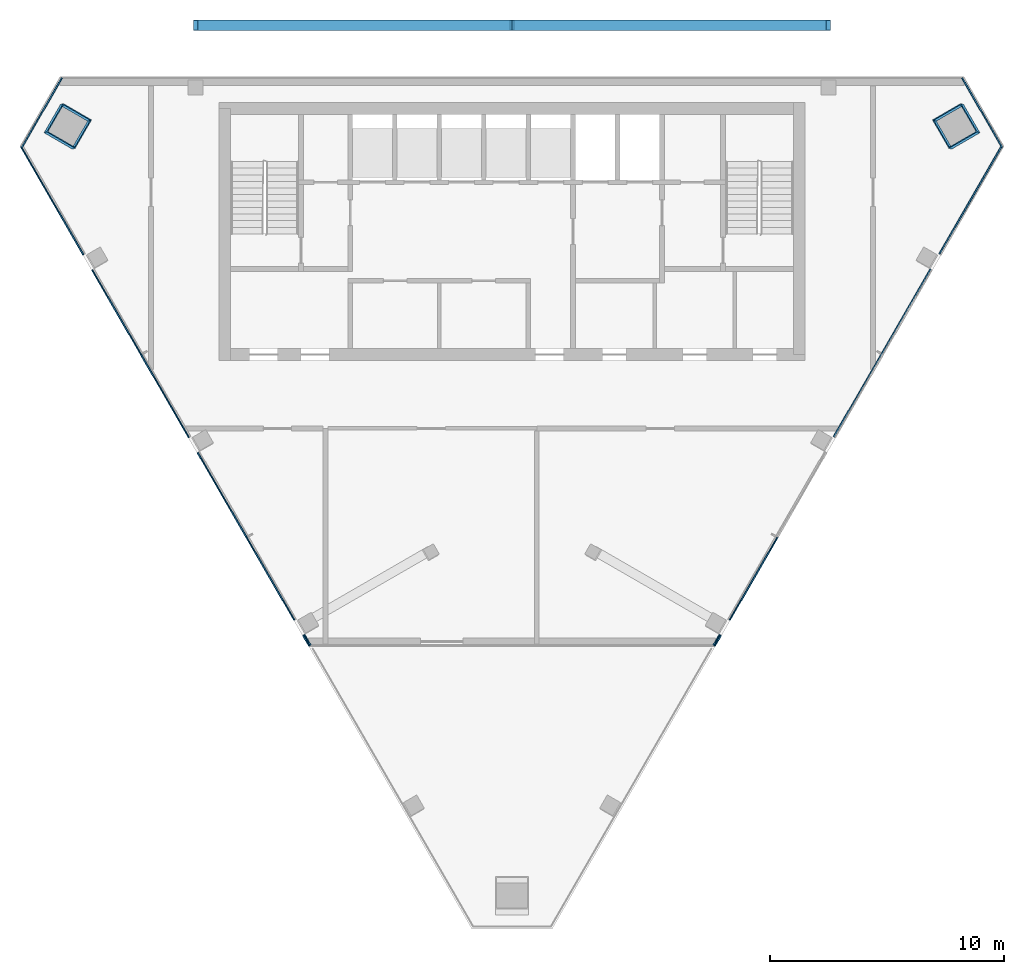
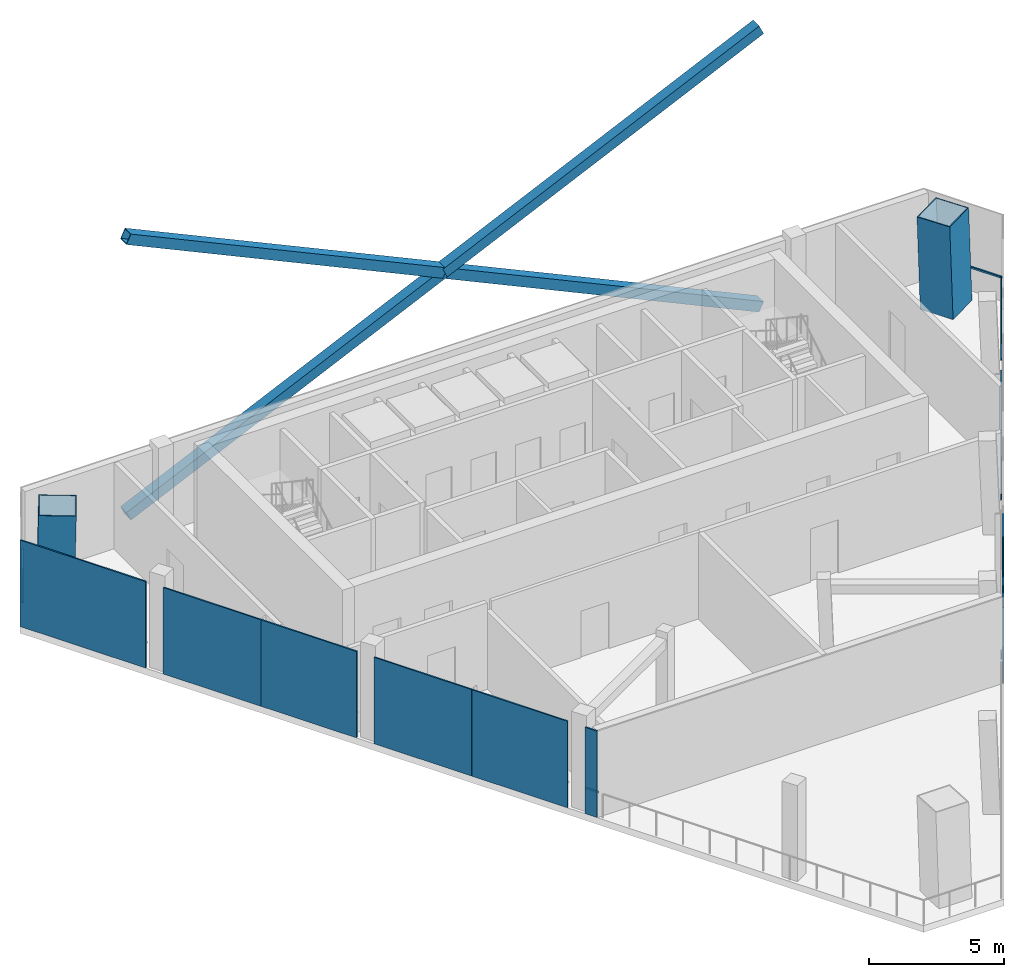
# One storey, part 4 of 8: 12 members, 8 plates, 4 elements without a shape of their own.
"""IFC4 building model written with IfcOpenShell, lengths in metres."""

from ifc_helpers import new_model, si_unit, direction, frame, origin, origin_2d, place, context, subcontext, project, spatial, rectangle, hollow_rectangle, extrude, material, layer, layer_set, material_profile, profile_set, type_object, element, aggregate, save


model = new_model("IFC4")

# Units and contexts
model_context = context("Model", 3, precision=1e-05, world=origin(), true_north=direction((0.0, 1.0)))
body_context = subcontext(model_context, "Body", "Model", "MODEL_VIEW")
ifc_project = project(units=[si_unit("LENGTHUNIT", "METRE"), si_unit("AREAUNIT", "SQUARE_METRE"), si_unit("VOLUMEUNIT", "CUBIC_METRE"), si_unit("PLANEANGLEUNIT", "RADIAN"), si_unit("MASSUNIT", "GRAM", prefix="KILO")], contexts=[model_context])

# Site, building, storey
site_placement = place(None, origin())
site = spatial("IfcSite", under=ifc_project, at=site_placement, CompositionType="ELEMENT")
building_placement = place(site_placement, origin())
building = spatial("IfcBuilding", under=site, at=building_placement, Name="Altiplano Prism Tower", CompositionType="ELEMENT")
storey_placement = place(building_placement, frame((0.0, 0.0, 334.60009765625)))
storey = spatial("IfcBuildingStorey", under=building, at=storey_placement, Name="L87", CompositionType="ELEMENT", Elevation=334.60009765625)

# Curtain wall, member
ifc_material_1 = material(Name="Aluminium and glass", Category="aluminium")
ifc_layer_1 = layer(ifc_material_1, 0.320068359375)
ifc_layer_set_1 = layer_set([ifc_layer_1], Name="Aluminium and glass")
curtain_wall_type = type_object("IfcCurtainWallType", Name="CW6 louvred plant-floor curtain wall", PredefinedType="NOTDEFINED", material=ifc_layer_set_1)
curtain_wall_1_placement = place(storey_placement, origin())
curtain_wall_1 = element("IfcCurtainWall", 1, at=curtain_wall_1_placement, inside=storey, type_object=curtain_wall_type, Name="CW6 curtain wall north-west chamfer L87", PredefinedType="NOTDEFINED")
ifc_material_2 = material(Name="Aluminium", Category="aluminium")
ifc_material_profile_1 = material_profile(ifc_material_2, rectangle(XDim=0.06005859375, YDim=0.080078125, at=origin_2d()), Name="CW6 transom 80 x 60")
ifc_profile_set_1 = profile_set([ifc_material_profile_1], Name="Aluminium")
member_type_1 = type_object("IfcMemberType", Name="CW6 transom 80 x 60", PredefinedType="USERDEFINED", material=ifc_profile_set_1)
member_1_placement = place(storey_placement, frame((65.797607421875, 104.955078125, 1.099853515625), z_axis=(-0.499981725576, -0.866035954271, 0.0), x_axis=(0.866035954271, -0.499981725576, 0.0)))
member_1 = element("IfcMember", 2, at=member_1_placement, type_object=member_type_1, Name="CW6 transom", ObjectType="TRANSOM", PredefinedType="USERDEFINED", context=body_context, shape_type="SweptSolid", body=[
    extrude(rectangle(XDim=0.06005859375, YDim=0.080078125, at=origin_2d()), origin(), (0.0, 0.0, 1.0), 3.423583984375),
])
aggregate(curtain_wall_1, [member_1])

curtain_wall_2_placement = place(storey_placement, origin())
curtain_wall_2 = element("IfcCurtainWall", 3, at=curtain_wall_2_placement, inside=storey, type_object=curtain_wall_type, Name="CW6 curtain wall south-west face L87", PredefinedType="NOTDEFINED")
member_2_placement = place(storey_placement, frame((76.138916015625, 81.2041015625, 1.099853515625), z_axis=(0.499855389907, -0.866108878364, 0.0), x_axis=(0.866108878364, 0.499855389907, 0.0)))
member_2 = element("IfcMember", 4, at=member_2_placement, type_object=member_type_1, Name="CW6 transom", ObjectType="TRANSOM", PredefinedType="USERDEFINED", context=body_context, shape_type="SweptSolid", body=[
    extrude(rectangle(XDim=0.06005859375, YDim=0.080078125, at=origin_2d()), origin(), (0.0, 0.0, 1.0), 0.530029296875),
])

# Curtain wall, members
curtain_wall_3_placement = place(storey_placement, origin())
curtain_wall_3 = element("IfcCurtainWall", 5, at=curtain_wall_3_placement, inside=storey, type_object=curtain_wall_type, Name="CW6 curtain wall south-east face L87", PredefinedType="NOTDEFINED")
member_3_placement = place(storey_placement, frame((93.59619140625, 80.7451171875, 1.099853515625), z_axis=(0.499855389907, 0.866108878364, 0.0), x_axis=(-0.866108878364, 0.499855389907, 0.0)))
member_3 = element("IfcMember", 6, at=member_3_placement, type_object=member_type_1, Name="CW6 transom", ObjectType="TRANSOM", PredefinedType="USERDEFINED", context=body_context, shape_type="SweptSolid", body=[
    extrude(rectangle(XDim=0.06005859375, YDim=0.080078125, at=origin_2d()), origin(), (0.0, 0.0, 1.0), 0.530029296875),
])
member_4_placement = place(storey_placement, frame((98.73291015625, 89.64208984375, 1.099853515625), z_axis=(0.499990359933, 0.866030969408, 0.0), x_axis=(-0.866030969408, 0.499990359933, 0.0)))
member_4 = element("IfcMember", 7, at=member_4_placement, type_object=member_type_1, Name="CW6 transom", ObjectType="TRANSOM", PredefinedType="USERDEFINED", context=body_context, shape_type="SweptSolid", body=[
    extrude(rectangle(XDim=0.06005859375, YDim=0.080078125, at=origin_2d()), origin(), (0.0, 0.0, 1.0), 8.256591796875),
])
member_5_placement = place(storey_placement, frame((103.23291015625, 97.436279296875, 1.099853515625), z_axis=(0.499987815973, 0.866032438121, 0.0), x_axis=(-0.866032438121, 0.499987815973, 0.0)))
member_5 = element("IfcMember", 8, at=member_5_placement, type_object=member_type_1, Name="CW6 transom", ObjectType="TRANSOM", PredefinedType="USERDEFINED", context=body_context, shape_type="SweptSolid", body=[
    extrude(rectangle(XDim=0.06005859375, YDim=0.080078125, at=origin_2d()), origin(), (0.0, 0.0, 1.0), 5.362548828125),
])

# Curtain wall, member
curtain_wall_4_placement = place(storey_placement, origin())
curtain_wall_4 = element("IfcCurtainWall", 9, at=curtain_wall_4_placement, inside=storey, type_object=curtain_wall_type, Name="CW6 curtain wall north-east chamfer L87", PredefinedType="NOTDEFINED")
member_6_placement = place(storey_placement, frame((105.9140625, 101.990234375, 1.099853515625), z_axis=(-0.499981725576, 0.866035954271, 0.0), x_axis=(-0.866035954271, -0.499981725576, 0.0)))
member_6 = element("IfcMember", 10, at=member_6_placement, type_object=member_type_1, Name="CW6 transom", ObjectType="TRANSOM", PredefinedType="USERDEFINED", context=body_context, shape_type="SweptSolid", body=[
    extrude(rectangle(XDim=0.06005859375, YDim=0.080078125, at=origin_2d()), origin(), (0.0, 0.0, 1.0), 3.423583984375),
])
aggregate(curtain_wall_4, [member_6])

# Members
ifc_material_3 = material(Name="Steel S355", Category="steel")
ifc_material_profile_2 = material_profile(ifc_material_3, hollow_rectangle(XDim=0.449951171875, YDim=0.449951171875, WallThickness=0.02490234375, at=origin_2d()), Name="Mega brace Box 450x450x25")
ifc_profile_set_2 = profile_set([ifc_material_profile_2], Name="Steel S355")
member_type_2 = type_object("IfcMemberType", Name="Mega brace Box 450x450x25", PredefinedType="BRACE", material=ifc_profile_set_2)
for number, where, z_axis, x_axis, name in (
    (11, (98.5, 107.199951171875, -0.650146484375), (-0.90746690712, 0.0, 0.420123568111), (0.0, -1.0, 0.0), "Mega brace 10.0.1"),
    (12, (85.0, 107.199951171875, 5.599853515625), (-0.90746690712, 0.0, 0.420123568111), (0.0, -1.0, 0.0), "Mega brace 10.0.2"),
    (13, (71.5, 107.199951171875, -0.650146484375), (0.90746690712, 0.0, 0.420123568111), (0.0, 1.0, 0.0), "Mega brace 10.0.3"),
    (14, (85.0, 107.199951171875, 5.599853515625), (0.90746690712, 0.0, 0.420123568111), (0.0, 1.0, 0.0), "Mega brace 10.0.4"),
):
    element("IfcMember", number, at=place(storey_placement, frame(where, z_axis=z_axis, x_axis=x_axis)), inside=storey, type_object=member_type_2, Name=name, PredefinedType="BRACE", context=body_context, shape_type="SweptSolid", body=[
        extrude(hollow_rectangle(XDim=0.449951171875, YDim=0.449951171875, WallThickness=0.02490234375, at=origin_2d()), origin(), (0.0, 0.0, 1.0), 14.87646484375),
    ])
ifc_material_4 = material(Name="Steel S460", Category="steel")
ifc_material_profile_3 = material_profile(ifc_material_4, hollow_rectangle(XDim=1.39990234375, YDim=1.39990234375, WallThickness=0.0400390625, at=origin_2d()), Name="Mega column tube 1400")
ifc_profile_set_3 = profile_set([ifc_material_profile_3], Name="Steel S460")
member_type_3 = type_object("IfcMemberType", Name="Mega column tube 1400", PredefinedType="POST", material=ifc_profile_set_3)
for number, where, z_axis, x_axis, name in (
    (15, (65.989501953125, 102.86767578125, 0.0), (0.028412585289, 0.009238447977, 0.999553588396), (-0.865380735886, 0.500716836341, 0.019970772707), "Mega column tube M0 L87"),
    (16, (104.010498046875, 102.86767578125, 0.0), (-0.028412585289, 0.009238447977, 0.999553588396), (0.50030881159, -0.865561841167, 0.022221434727), "Mega column tube M2 L87"),
):
    element("IfcMember", number, at=place(storey_placement, frame(where, z_axis=z_axis, x_axis=x_axis)), inside=storey, type_object=member_type_3, Name=name, PredefinedType="POST", context=body_context, shape_type="SweptSolid", body=[
        extrude(hollow_rectangle(XDim=1.39990234375, YDim=1.39990234375, WallThickness=0.0400390625, at=origin_2d()), origin(), (0.0, 0.0, 1.0), 4.201904296875),
    ])

# Plate
ifc_material_5 = material(Name="Anodised aluminium", Category="aluminium")
ifc_layer_2 = layer(ifc_material_5, 0.06005859375)
ifc_layer_set_2 = layer_set([ifc_layer_2], Name="Anodised aluminium")
plate_type = type_object("IfcPlateType", Name="CW6 louvred aluminium panel 60", PredefinedType="CURTAIN_PANEL", material=ifc_layer_set_2)
plate_1_placement = place(storey_placement, frame((65.37451171875, 99.728271484375, 0.0), z_axis=(0.0, 0.0, 1.0), x_axis=(0.500000009009, -0.866025398583, 0.0)))
plate_1 = element("IfcPlate", 17, at=plate_1_placement, type_object=plate_type, Name="CW6 panel", PredefinedType="CURTAIN_PANEL", context=body_context, shape_type="SweptSolid", body=[
    extrude(rectangle(XDim=5.3525390625, YDim=0.06005859375, at=origin_2d()), origin(), (0.0, 0.0, 1.0), 3.89990234375),
])

plate_2_placement = place(storey_placement, frame((68.13037109375, 94.954833984375, 0.0), z_axis=(0.0, 0.0, 1.0), x_axis=(0.500000009009, -0.866025398583, 0.0)))
plate_2 = element("IfcPlate", 18, at=plate_2_placement, type_object=plate_type, Name="CW6 panel", PredefinedType="CURTAIN_PANEL", context=body_context, shape_type="SweptSolid", body=[
    extrude(rectangle(XDim=4.16455078125, YDim=0.06005859375, at=origin_2d()), origin(), (0.0, 0.0, 1.0), 3.89990234375),
])

plate_3_placement = place(storey_placement, frame((70.194580078125, 91.379638671875, 0.0), z_axis=(0.0, 0.0, 1.0), x_axis=(0.500000009009, -0.866025398583, 0.0)))
plate_3 = element("IfcPlate", 19, at=plate_3_placement, type_object=plate_type, Name="CW6 panel", PredefinedType="CURTAIN_PANEL", context=body_context, shape_type="SweptSolid", body=[
    extrude(rectangle(XDim=4.072021484375, YDim=0.06005859375, at=origin_2d()), origin(), (0.0, 0.0, 1.0), 3.89990234375),
])

plate_4_placement = place(storey_placement, frame((72.63037109375, 87.16064453125, 0.0), z_axis=(0.0, 0.0, 1.0), x_axis=(0.500000009009, -0.866025398583, 0.0)))
plate_4 = element("IfcPlate", 20, at=plate_4_placement, type_object=plate_type, Name="CW6 panel", PredefinedType="CURTAIN_PANEL", context=body_context, shape_type="SweptSolid", body=[
    extrude(rectangle(XDim=4.16455078125, YDim=0.06005859375, at=origin_2d()), origin(), (0.0, 0.0, 1.0), 3.89990234375),
])

plate_5_placement = place(storey_placement, frame((74.694580078125, 83.58544921875, 0.0), z_axis=(0.0, 0.0, 1.0), x_axis=(0.500000009009, -0.866025398583, 0.0)))
plate_5 = element("IfcPlate", 21, at=plate_5_placement, type_object=plate_type, Name="CW6 panel", PredefinedType="CURTAIN_PANEL", context=body_context, shape_type="SweptSolid", body=[
    extrude(rectangle(XDim=4.072021484375, YDim=0.06005859375, at=origin_2d()), origin(), (0.0, 0.0, 1.0), 3.89990234375),
])

plate_6_placement = place(storey_placement, frame((76.219482421875, 80.944580078125, 0.0), z_axis=(0.0, 0.0, 1.0), x_axis=(0.500000009009, -0.866025398583, 0.0)))
plate_6 = element("IfcPlate", 22, at=plate_6_placement, type_object=plate_type, Name="CW6 panel", PredefinedType="CURTAIN_PANEL", context=body_context, shape_type="SweptSolid", body=[
    extrude(rectangle(XDim=0.52001953125, YDim=0.06005859375, at=origin_2d()), origin(), (0.0, 0.0, 1.0), 3.89990234375),
])

aggregate(curtain_wall_2, [plate_1, plate_2, plate_3, plate_4, plate_5, member_2, plate_6])

plate_7_placement = place(storey_placement, frame((93.780517578125, 80.944580078125, 0.0), z_axis=(0.0, 0.0, 1.0), x_axis=(0.500000009009, 0.866025398583, 0.0)))
plate_7 = element("IfcPlate", 23, at=plate_7_placement, type_object=plate_type, Name="CW6 panel", PredefinedType="CURTAIN_PANEL", context=body_context, shape_type="SweptSolid", body=[
    extrude(rectangle(XDim=0.52001953125, YDim=0.06005859375, at=origin_2d()), origin(), (0.0, 0.0, 1.0), 3.89990234375),
])

plate_8_placement = place(storey_placement, frame((95.305419921875, 83.58544921875, 0.0), z_axis=(0.0, 0.0, 1.0), x_axis=(0.500000009009, 0.866025398583, 0.0)))
plate_8 = element("IfcPlate", 24, at=plate_8_placement, type_object=plate_type, Name="CW6 panel", PredefinedType="CURTAIN_PANEL", context=body_context, shape_type="SweptSolid", body=[
    extrude(rectangle(XDim=4.072021484375, YDim=0.06005859375, at=origin_2d()), origin(), (0.0, 0.0, 1.0), 3.89990234375),
])

aggregate(curtain_wall_3, [member_3, plate_7, plate_8, member_4, member_5])

save(model, "model.ifc")
